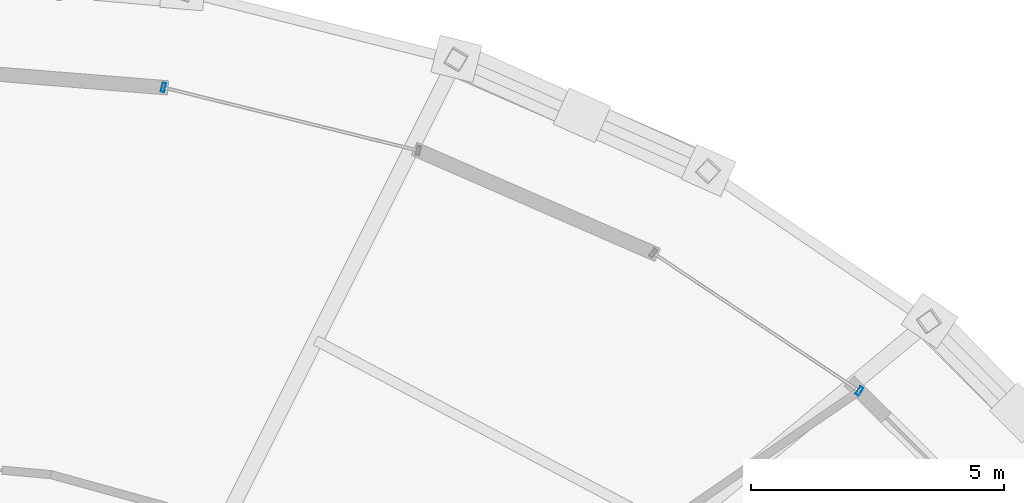
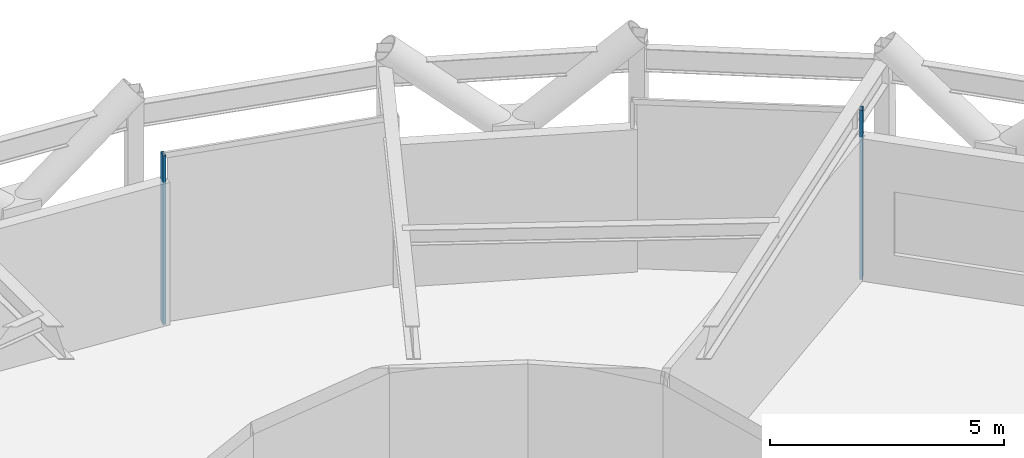
# One storey, part 27 of 39: 2 members, 2 elements without a shape of their own.
"""IFC4 building model written with IfcOpenShell, lengths in metres."""

import ifcopenshell
import ifcopenshell.guid

model = None  # the IFC model being written
_history = None  # IfcOwnerHistory: only IFC2X3 demands one
_inside = {}  # id of a spatial element -> (the spatial element, [elements in it])
_under = {}  # id of a project, library or spatial element -> (it, [spatial elements below it])
_declared = {}  # id of a project -> (the project, [libraries it declares])
_typed = {}  # id of a type object -> (the type object, [elements of that type])
_made_of = {}  # id of a material, layer set ... -> (it, [elements and type objects made of it])


def new_model(schema):
    """Start an empty IFC model of exactly this schema.

    Asked for "IFC4X3", IfcOpenShell would pick the latest addendum, in which some entities
    have other attributes; the version numbers below select the first issue.
    IFC2X3 requires an IfcOwnerHistory on every rooted entity: one is made here for all.
    """
    global model, _history
    if schema == "IFC4X3":
        model = ifcopenshell.file(schema_version=(4, 3, 0, 0))
    else:
        model = ifcopenshell.file(schema=schema)
    _inside.clear()
    _under.clear()
    _declared.clear()
    _typed.clear()
    _made_of.clear()
    _history = None
    if model.schema == "IFC2X3":
        org = make("IfcOrganization", Name="unknown")
        user = make(
            "IfcPersonAndOrganization",
            ThePerson=make("IfcPerson", FamilyName="unknown"),
            TheOrganization=org,
        )
        app = make(
            "IfcApplication",
            ApplicationDeveloper=org,
            Version="unknown",
            ApplicationFullName="unknown",
            ApplicationIdentifier="unknown",
        )
        _history = make(
            "IfcOwnerHistory",
            OwningUser=user,
            OwningApplication=app,
            ChangeAction="ADDED",
            CreationDate=0,
        )
    return model


def make(cls, **values):
    """One entity of the class cls with the attributes given. An attribute that is None is left unset."""
    return model.create_entity(
        cls, **{name: value for name, value in values.items() if value is not None}
    )


def rooted(cls, **values):
    """An entity with a GlobalId (a new one), such as an element, a storey or a relation."""
    return make(cls, GlobalId=ifcopenshell.guid.new(), OwnerHistory=_history, **values)


def si_unit(unit_type, name, prefix=None):
    """IfcSIUnit, for example si_unit("LENGTHUNIT", "METRE", prefix="MILLI")."""
    return make("IfcSIUnit", UnitType=unit_type, Prefix=prefix, Name=name)


def assignment(units):
    """IfcUnitAssignment: the units of a project."""
    return None if units is None else make("IfcUnitAssignment", Units=units)


def point(xyz):
    """IfcCartesianPoint."""
    return None if xyz is None else make("IfcCartesianPoint", Coordinates=xyz)


def direction(xyz):
    """IfcDirection."""
    return None if xyz is None else make("IfcDirection", DirectionRatios=xyz)


def frame(location, z_axis=None, x_axis=None):
    """IfcAxis2Placement3D, a coordinate frame: its origin and axes. An axis left out is left unset."""
    return make(
        "IfcAxis2Placement3D",
        Location=point(location),
        Axis=direction(z_axis),
        RefDirection=direction(x_axis),
    )


def frame_2d(location, x_axis=None):
    """IfcAxis2Placement2D, a coordinate frame in the plane: its origin and x axis."""
    return make(
        "IfcAxis2Placement2D", Location=point(location), RefDirection=direction(x_axis)
    )


def origin():
    """The frame at (0, 0, 0) with its axes left unset."""
    return frame((0.0, 0.0, 0.0))


def origin_2d():
    """The frame at (0, 0) in the plane with its x axis left unset."""
    return frame_2d((0.0, 0.0))


def place(relative_to, where):
    """IfcLocalPlacement: puts the frame where relative to a parent placement (None: the world)."""
    return make(
        "IfcLocalPlacement", PlacementRelTo=relative_to, RelativePlacement=where
    )


def context(
    kind, dimensions, precision=None, world=None, true_north=None, identifier=None
):
    """IfcGeometricRepresentationContext, for example the 3D "Model" context."""
    return make(
        "IfcGeometricRepresentationContext",
        ContextIdentifier=identifier,
        ContextType=kind,
        CoordinateSpaceDimension=dimensions,
        Precision=precision,
        WorldCoordinateSystem=world,
        TrueNorth=true_north,
    )


def subcontext(parent, identifier, kind, view, scale=None):
    """IfcGeometricRepresentationSubContext, for example "Body" below "Model"."""
    return make(
        "IfcGeometricRepresentationSubContext",
        ContextIdentifier=identifier,
        ContextType=kind,
        ParentContext=parent,
        TargetScale=scale,
        TargetView=view,
    )


def project(units=None, contexts=None):
    """IfcProject with its units and contexts."""
    return rooted(
        "IfcProject",
        Name="project",
        RepresentationContexts=contexts,
        UnitsInContext=assignment(units),
    )


def spatial(cls, under=None, at=None, **own):
    """A site, building, storey or space (cls), placed at a placement, below another one or the project."""
    s = rooted(cls, ObjectPlacement=at, **own)
    if under is not None:
        _under.setdefault(under.id(), (under, []))[1].append(s)
    return s


def profile(cls, at=None, kind="AREA", **sizes):
    """A parametric profile (cls). Its sizes go by their IFC names, for example OverallWidth=200.0."""
    return make(cls, ProfileType=kind, Position=at, **sizes)


def hollow_rectangle(**sizes):
    """IfcRectangleHollowProfileDef."""
    return profile("IfcRectangleHollowProfileDef", **sizes)


def extrude(swept, where, along, depth):
    """IfcExtrudedAreaSolid: the profile swept, set in the frame where, extruded along a direction by depth."""
    return make(
        "IfcExtrudedAreaSolid",
        SweptArea=swept,
        Position=where,
        ExtrudedDirection=direction(along),
        Depth=depth,
    )


def shape(context_of_items, identifier, shape_type, items):
    """IfcShapeRepresentation: the items that make up one representation, for example the "Body"."""
    return make(
        "IfcShapeRepresentation",
        ContextOfItems=context_of_items,
        RepresentationIdentifier=identifier,
        RepresentationType=shape_type,
        Items=items,
    )


def material(Name=None, Category=None):
    """IfcMaterial."""
    return make("IfcMaterial", Name=Name, Category=Category)


def layer(
    of_material, thickness, ventilated=None, Name=None, Category=None, Priority=None
):
    """IfcMaterialLayer: one layer of a wall or slab, of a material (None: an air gap)."""
    return make(
        "IfcMaterialLayer",
        Material=of_material,
        LayerThickness=thickness,
        IsVentilated=ventilated,
        Name=Name,
        Category=Category,
        Priority=Priority,
    )


def layer_set(layers, Name=None):
    """IfcMaterialLayerSet."""
    return make("IfcMaterialLayerSet", MaterialLayers=layers, LayerSetName=Name)


def material_profile(
    of_material, cross_section, Name=None, Category=None, Priority=None
):
    """IfcMaterialProfile: a cross section and its material."""
    return make(
        "IfcMaterialProfile",
        Name=Name,
        Material=of_material,
        Profile=cross_section,
        Priority=Priority,
        Category=Category,
    )


def profile_set(profiles, Name=None, composite=None):
    """IfcMaterialProfileSet."""
    return make(
        "IfcMaterialProfileSet",
        Name=Name,
        MaterialProfiles=profiles,
        CompositeProfile=composite,
    )


def made_of(thing, what):
    """Note that an element or type object is made of a material, layer set ...; save() writes the relation."""
    if what is not None:
        _made_of.setdefault(what.id(), (what, []))[1].append(thing)
    return thing


def type_object(cls, material=None, **own):
    """A type object (cls), such as IfcWallType, which elements share."""
    return made_of(rooted(cls, **own), material)


def element(
    cls,
    number,
    at=None,
    inside=None,
    cuts=None,
    type_object=None,
    material=None,
    context=None,
    identifier="Body",
    shape_type=None,
    held_by="IfcProductDefinitionShape",
    body=None,
    shapes=None,
    **own,
):
    """One element of the class cls, such as IfcWall. Its Tag is "e" and its number.

    at: its placement. inside: the storey or other place that contains it. cuts: it is an
    opening in that element (IfcRelVoidsElement). A single representation is given by context,
    identifier, shape_type and body (its items); several are given by shapes. held_by: the class
    of the entity that holds the representations. save() writes the other relations.
    """
    e = rooted(cls, Tag="e%d" % number, ObjectPlacement=at, **own)
    if body is not None:
        shapes = [shape(context, identifier, shape_type, body)]
    if shapes is not None:
        e.Representation = make(held_by, Representations=shapes)
    if inside is not None:
        _inside.setdefault(inside.id(), (inside, []))[1].append(e)
    if cuts is not None:
        rooted(
            "IfcRelVoidsElement", RelatingBuildingElement=cuts, RelatedOpeningElement=e
        )
    if type_object is not None:
        _typed.setdefault(type_object.id(), (type_object, []))[1].append(e)
    return made_of(e, material)


def aggregate(whole, parts):
    """IfcRelAggregates: a whole, such as a stair, and the parts it consists of."""
    return rooted("IfcRelAggregates", RelatingObject=whole, RelatedObjects=parts)


def save(model, path):
    """Write the relations noted so far, then the file.

    IfcRelAggregates (storeys below a building ...), IfcRelContainedInSpatialStructure (elements
    in a storey), IfcRelDefinesByType, IfcRelAssociatesMaterial and IfcRelDeclares: one each for
    every whole, place, type object, material and project.
    """
    for whole, parts in _under.values():
        aggregate(whole, parts)
    for where, things in _inside.values():
        rooted(
            "IfcRelContainedInSpatialStructure",
            RelatedElements=things,
            RelatingStructure=where,
        )
    for kind, things in _typed.values():
        rooted("IfcRelDefinesByType", RelatedObjects=things, RelatingType=kind)
    for what, things in _made_of.values():
        rooted("IfcRelAssociatesMaterial", RelatedObjects=things, RelatingMaterial=what)
    for by, libraries in _declared.values():
        rooted("IfcRelDeclares", RelatingContext=by, RelatedDefinitions=libraries)
    model.write(path)


model = new_model("IFC4")

# Units and contexts
model_context = context("Model", 3, precision=1e-05, world=origin(), true_north=direction((0.0, 1.0)))
body_context = subcontext(model_context, "Body", "Model", "MODEL_VIEW")
ifc_project = project(units=[si_unit("LENGTHUNIT", "METRE"), si_unit("AREAUNIT", "SQUARE_METRE"), si_unit("VOLUMEUNIT", "CUBIC_METRE"), si_unit("PLANEANGLEUNIT", "RADIAN"), si_unit("MASSUNIT", "GRAM", prefix="KILO")], contexts=[model_context])

# Site, building, storey
site_placement = place(None, origin())
site = spatial("IfcSite", under=ifc_project, at=site_placement, CompositionType="ELEMENT")
building_placement = place(site_placement, origin())
building = spatial("IfcBuilding", under=site, at=building_placement, Name="Veldorina Hangang Commons", CompositionType="ELEMENT")
storey_placement = place(building_placement, frame((0.0, 0.0, 106.0)))
storey = spatial("IfcBuildingStorey", under=building, at=storey_placement, Name="L27", CompositionType="ELEMENT", Elevation=106.0)

# Curtain wall, member
ifc_material_1 = material(Name="Glass Acoustic Laminated", Category="glass")
ifc_layer = layer(ifc_material_1, 0.179931640625)
ifc_layer_set = layer_set([ifc_layer], Name="Glass Acoustic Laminated")
curtain_wall_type = type_object("IfcCurtainWallType", Name="CW-SYS-SKY", PredefinedType="NOTDEFINED", material=ifc_layer_set)
curtain_wall_1_placement = place(storey_placement, origin())
curtain_wall_1 = element("IfcCurtainWall", 1, at=curtain_wall_1_placement, inside=storey, type_object=curtain_wall_type, Name="L27 unitised curtain wall CW-L27-R3", PredefinedType="NOTDEFINED")
ifc_material_2 = material(Name="Aluminium Anodized AA6063-T6", Category="aluminium")
ifc_material_profile = material_profile(ifc_material_2, hollow_rectangle(XDim=0.070068359375, YDim=0.179931640625, WallThickness=0.00390625, at=origin_2d()), Name="ALU-RHS-180x70x4")
ifc_profile_set = profile_set([ifc_material_profile], Name="Aluminium Anodized AA6063-T6")
member_type = type_object("IfcMemberType", Name="CW-MUL-180", PredefinedType="MULLION", material=ifc_profile_set)
member_1_placement = place(storey_placement, frame((50.966796875, 39.477294921875, 0.0), z_axis=(0.0, 0.0, 1.0), x_axis=(-0.830887364717, 0.556440641177, 0.0)))
member_1 = element("IfcMember", 2, at=member_1_placement, type_object=member_type, Name="CW-L27-R3 vertical mullion 1", PredefinedType="MULLION", context=body_context, shape_type="SweptSolid", body=[
    extrude(hollow_rectangle(XDim=0.070068359375, YDim=0.179931640625, WallThickness=0.00390625, at=origin_2d()), origin(), (0.0, 0.0, 1.0), 4.39990234375),
])
aggregate(curtain_wall_1, [member_1])

curtain_wall_2_placement = place(storey_placement, origin())
curtain_wall_2 = element("IfcCurtainWall", 3, at=curtain_wall_2_placement, inside=storey, type_object=curtain_wall_type, Name="L27 unitised curtain wall CW-L27-R4", PredefinedType="NOTDEFINED")
member_2_placement = place(storey_placement, frame((37.23291015625, 45.467529296875, 0.0), z_axis=(0.0, 0.0, 1.0), x_axis=(0.970703901937, -0.240278868744, 0.0)))
member_2 = element("IfcMember", 4, at=member_2_placement, type_object=member_type, Name="CW-L27-R4 vertical mullion 2", PredefinedType="MULLION", context=body_context, shape_type="SweptSolid", body=[
    extrude(hollow_rectangle(XDim=0.070068359375, YDim=0.179931640625, WallThickness=0.00390625, at=origin_2d()), origin(), (0.0, 0.0, 1.0), 4.39990234375),
])
aggregate(curtain_wall_2, [member_2])

save(model, "model.ifc")
